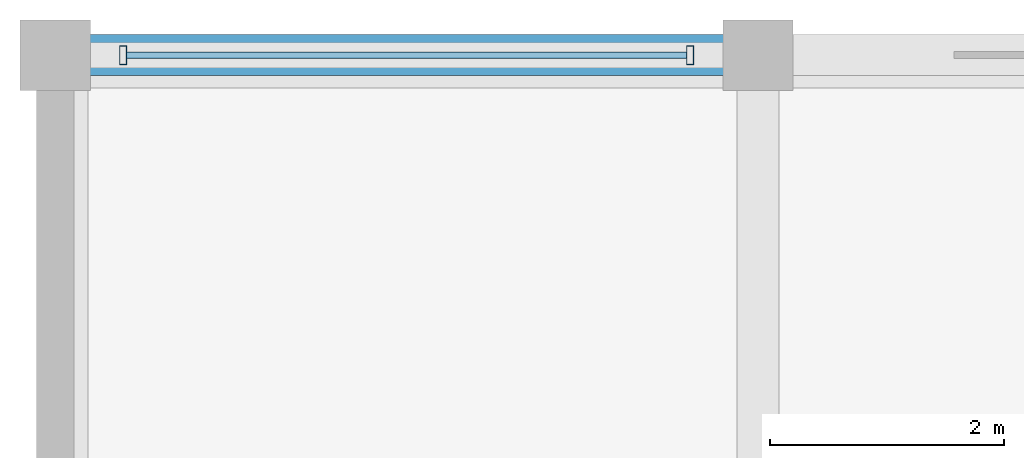
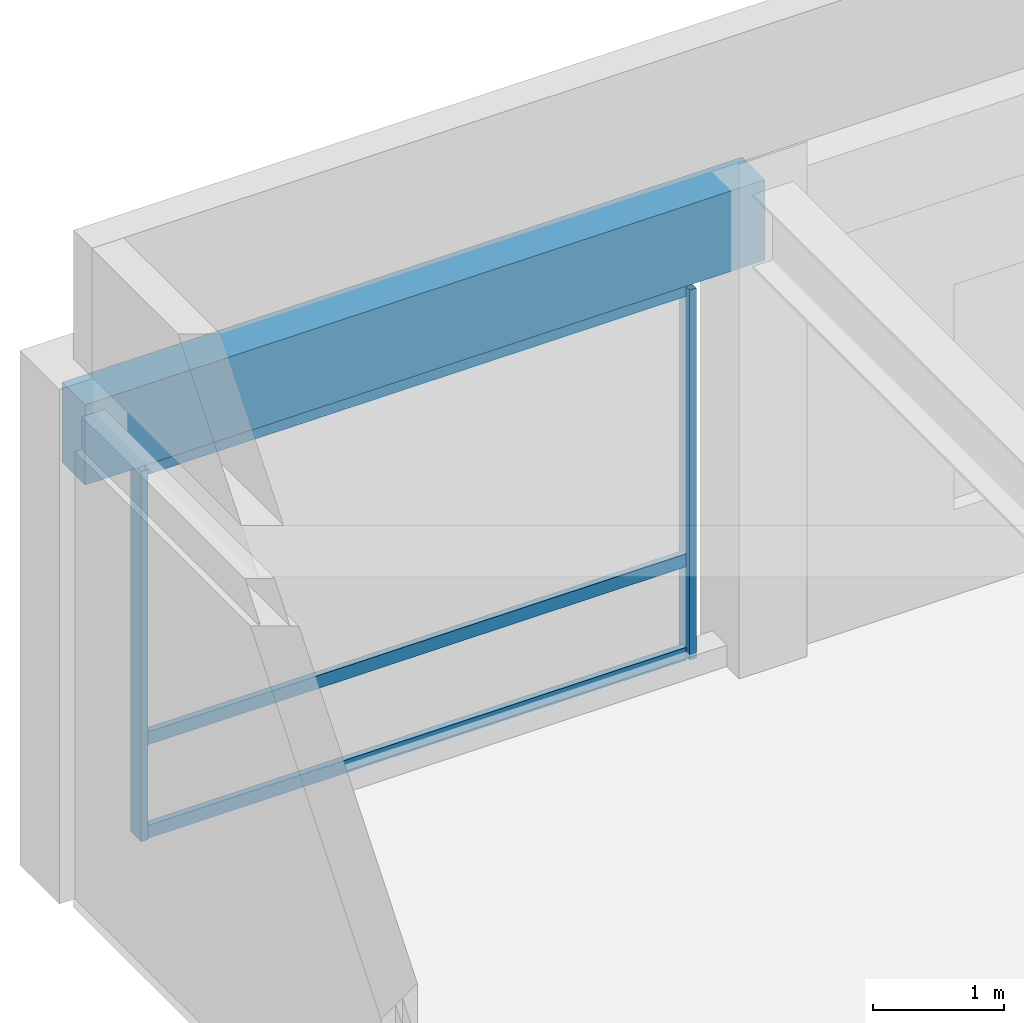
# One storey, part 9 of 16: 5 members, 1 beam, 1 element without a shape of its own.
"""IFC4 building model written with IfcOpenShell, lengths in metres."""

from ifc_helpers import new_model, si_unit, direction, frame, origin, origin_2d, place, context, subcontext, project, spatial, rectangle, hollow_rectangle, extrude, material, material_profile, profile_set, type_object, element, aggregate, save


model = new_model("IFC4")

# Units and contexts
model_context = context("Model", 3, precision=1e-05, world=origin(), true_north=direction((0.0, 1.0)))
body_context = subcontext(model_context, "Body", "Model", "MODEL_VIEW")
ifc_project = project(units=[si_unit("LENGTHUNIT", "METRE"), si_unit("AREAUNIT", "SQUARE_METRE"), si_unit("VOLUMEUNIT", "CUBIC_METRE"), si_unit("PLANEANGLEUNIT", "RADIAN"), si_unit("MASSUNIT", "GRAM", prefix="KILO")], contexts=[model_context])

# Site, building, storey
site_placement = place(None, origin())
site = spatial("IfcSite", under=ifc_project, at=site_placement, CompositionType="ELEMENT")
building_placement = place(site_placement, origin())
building = spatial("IfcBuilding", under=site, at=building_placement, Name="Kaldorvane Square Convention Centre", CompositionType="ELEMENT")
storey_placement = place(building_placement, frame((0.0, 0.0, 70.80000305175781)))
storey = spatial("IfcBuildingStorey", under=building, at=storey_placement, Name="L17", CompositionType="ELEMENT", Elevation=70.80000305175781)

# Beam
ifc_material_1 = material(Name="Concrete f'c = 42 MPa (Normalweight)", Category="concrete")
ifc_material_profile_1 = material_profile(ifc_material_1, rectangle(XDim=0.350006103515625, YDim=0.75, at=origin_2d()), Name="RCSP750X350")
ifc_profile_set_1 = profile_set([ifc_material_profile_1], Name="Concrete f'c = 42 MPa (Normalweight)")
beam_type = type_object("IfcBeamType", Name="BM-SP-RC750", PredefinedType="SPANDREL", material=ifc_profile_set_1)
beam_placement = place(storey_placement, frame((36.0, 117.0, 4.1009979248046875), z_axis=(1.0, 0.0, 0.0), x_axis=(0.0, 1.0, 0.0)))
element("IfcBeam", 1, at=beam_placement, inside=storey, type_object=beam_type, Name="Perimeter Spandrel (L17)", PredefinedType="SPANDREL", context=body_context, shape_type="SweptSolid", body=[
    extrude(rectangle(XDim=0.350006103515625, YDim=0.75, at=origin_2d()), origin(), (0.0, 0.0, 1.0), 6.0),
])

# Curtain wall, members
ifc_material_2 = material(Name="Anodized Aluminum and Low-E Insulated Glazing", Category="aluminium")
curtain_wall_type = type_object("IfcCurtainWallType", Name="CW-UNI-PNT-06", PredefinedType="USERDEFINED", material=ifc_material_2)
curtain_wall_placement = place(storey_placement, origin())
curtain_wall = element("IfcCurtainWall", 2, at=curtain_wall_placement, inside=storey, type_object=curtain_wall_type, Name="Curtain Wall CW-13 (L17)", ObjectType="UNITISED GLAZING", PredefinedType="USERDEFINED")
ifc_material_profile_2 = material_profile(ifc_material_2, hollow_rectangle(XDim=0.05999755859375, YDim=0.160003662109375, WallThickness=0.003204345703125, at=origin_2d()), Name="CWM-160X60")
ifc_profile_set_2 = profile_set([ifc_material_profile_2], Name="Anodized Aluminum and Low-E Insulated Glazing")
member_type_1 = type_object("IfcMemberType", Name="CW-MUL-160", PredefinedType="MULLION", material=ifc_profile_set_2)
member_1_placement = place(storey_placement, frame((41.41999816894531, 117.0, 0.149993896484375), z_axis=(0.0, 0.0, 1.0), x_axis=(-1.0, 0.0, 0.0)))
member_1 = element("IfcMember", 3, at=member_1_placement, type_object=member_type_1, Name="CW-13 mullion 1", PredefinedType="MULLION", context=body_context, shape_type="SweptSolid", body=[
    extrude(hollow_rectangle(XDim=0.05999755859375, YDim=0.160003662109375, WallThickness=0.003204345703125, at=origin_2d()), origin(), (0.0, 0.0, 1.0), 3.4499969482421875),
])
member_2_placement = place(storey_placement, frame((36.58000183105469, 117.0, 0.149993896484375), z_axis=(0.0, 0.0, 1.0), x_axis=(-1.0, 0.0, 0.0)))
member_2 = element("IfcMember", 4, at=member_2_placement, type_object=member_type_1, Name="CW-13 mullion 2", PredefinedType="MULLION", context=body_context, shape_type="SweptSolid", body=[
    extrude(hollow_rectangle(XDim=0.05999755859375, YDim=0.160003662109375, WallThickness=0.003204345703125, at=origin_2d()), origin(), (0.0, 0.0, 1.0), 3.4499969482421875),
])
ifc_material_profile_3 = material_profile(ifc_material_2, hollow_rectangle(XDim=0.05499267578125, YDim=0.1199951171875, WallThickness=0.0030059814453125, at=origin_2d()), Name="CWT-120X55")
ifc_profile_set_3 = profile_set([ifc_material_profile_3], Name="Anodized Aluminum and Low-E Insulated Glazing")
member_type_2 = type_object("IfcMemberType", Name="CW-TRN-120", PredefinedType="USERDEFINED", material=ifc_profile_set_3)
member_3_placement = place(storey_placement, frame((41.38999938964844, 117.0, 0.177490234375), z_axis=(-1.0, 0.0, 0.0), x_axis=(0.0, -1.0, 0.0)))
member_3 = element("IfcMember", 5, at=member_3_placement, type_object=member_type_2, Name="CW-13 transom 1.1", ObjectType="TRANSOM", PredefinedType="USERDEFINED", context=body_context, shape_type="SweptSolid", body=[
    extrude(hollow_rectangle(XDim=0.05499267578125, YDim=0.1199951171875, WallThickness=0.0030059814453125, at=origin_2d()), origin(), (0.0, 0.0, 1.0), 4.779998779296875),
])
member_4_placement = place(storey_placement, frame((41.38999938964844, 117.0, 1.0500030517578125), z_axis=(-1.0, 0.0, 0.0), x_axis=(0.0, -1.0, 0.0)))
member_4 = element("IfcMember", 6, at=member_4_placement, type_object=member_type_2, Name="CW-13 transom 1.2", ObjectType="TRANSOM", PredefinedType="USERDEFINED", context=body_context, shape_type="SweptSolid", body=[
    extrude(hollow_rectangle(XDim=0.05499267578125, YDim=0.1199951171875, WallThickness=0.0030059814453125, at=origin_2d()), origin(), (0.0, 0.0, 1.0), 4.779998779296875),
])
member_5_placement = place(storey_placement, frame((41.38999938964844, 117.0, 3.5724945068359375), z_axis=(-1.0, 0.0, 0.0), x_axis=(0.0, -1.0, 0.0)))
member_5 = element("IfcMember", 7, at=member_5_placement, type_object=member_type_2, Name="CW-13 transom 1.3", ObjectType="TRANSOM", PredefinedType="USERDEFINED", context=body_context, shape_type="SweptSolid", body=[
    extrude(hollow_rectangle(XDim=0.05499267578125, YDim=0.1199951171875, WallThickness=0.0030059814453125, at=origin_2d()), origin(), (0.0, 0.0, 1.0), 4.779998779296875),
])
aggregate(curtain_wall, [member_1, member_2, member_3, member_4, member_5])

save(model, "model.ifc")
